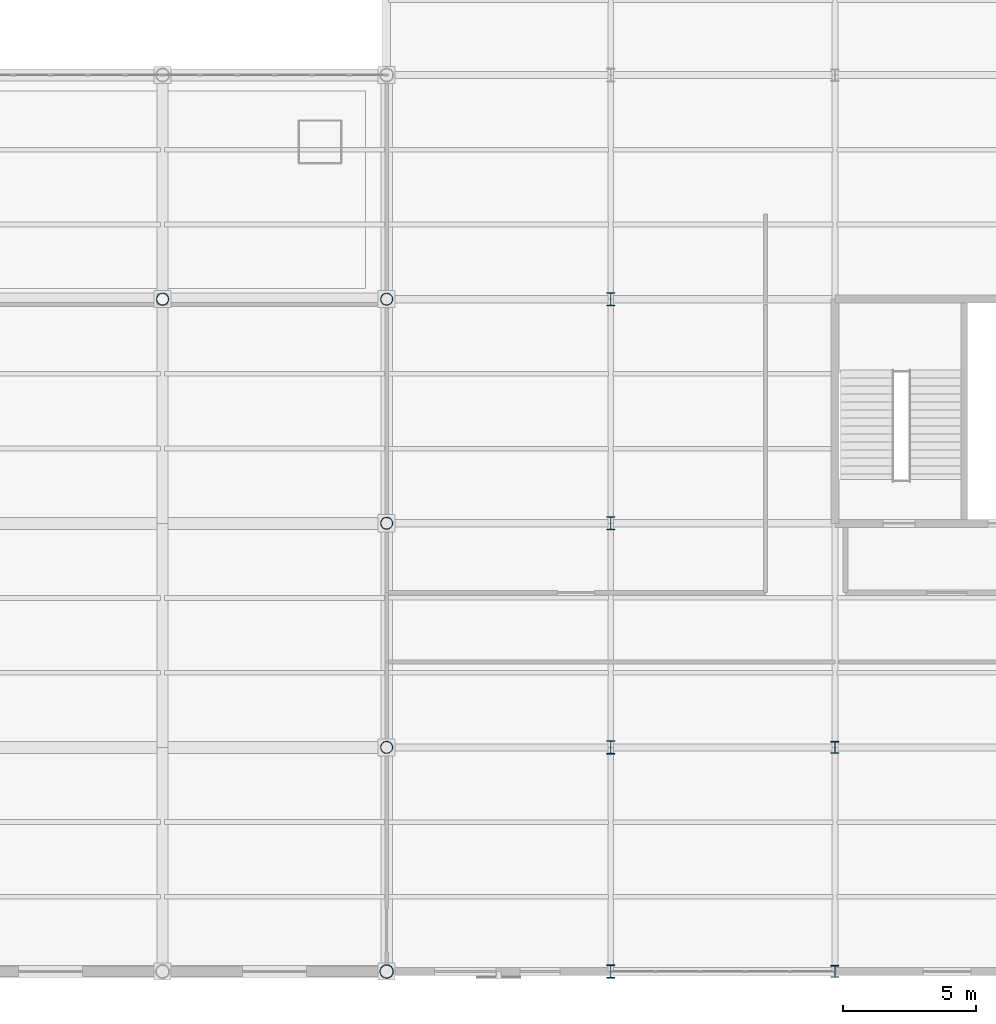
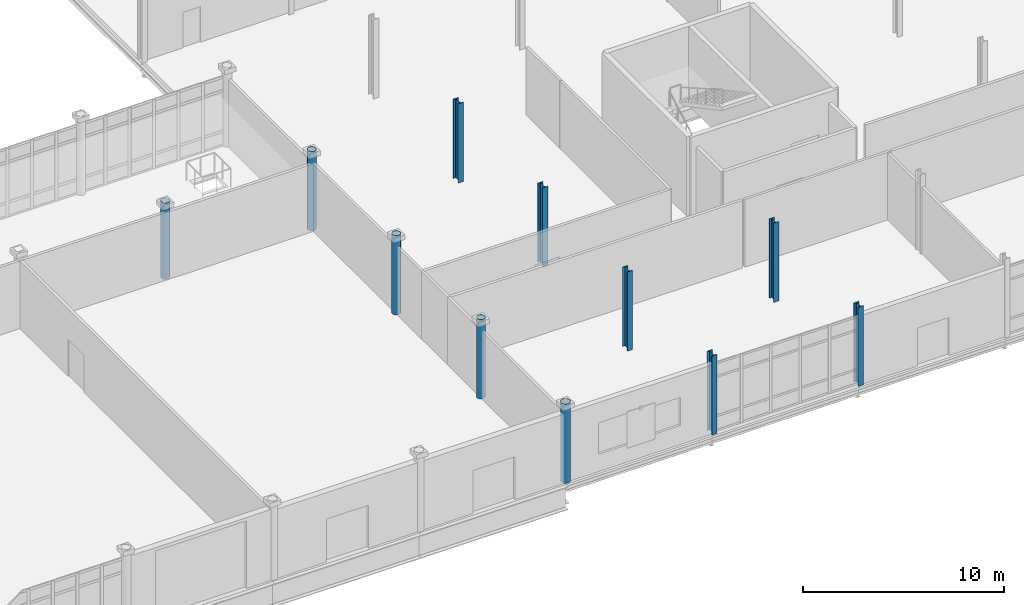
# One storey, part 8 of 145: 11 columns.
"""IFC4 building model written with IfcOpenShell, lengths in metres."""

from ifc_helpers import new_model, si_unit, direction, frame, origin, origin_2d, place, context, subcontext, project, spatial, hollow_circle, i_section, extrude, material, material_profile, profile_set, type_object, element, save


model = new_model("IFC4")

# Units and contexts
model_context = context("Model", 3, precision=1e-05, world=origin(), true_north=direction((0.0, 1.0)))
body_context = subcontext(model_context, "Body", "Model", "MODEL_VIEW")
ifc_project = project(units=[si_unit("LENGTHUNIT", "METRE"), si_unit("AREAUNIT", "SQUARE_METRE"), si_unit("VOLUMEUNIT", "CUBIC_METRE"), si_unit("PLANEANGLEUNIT", "RADIAN"), si_unit("MASSUNIT", "GRAM", prefix="KILO")], contexts=[model_context])

# Site, building, storey
site_placement = place(None, origin())
site = spatial("IfcSite", under=ifc_project, at=site_placement, CompositionType="ELEMENT")
building_placement = place(site_placement, origin())
building = spatial("IfcBuilding", under=site, at=building_placement, Name="Qalvenar Corner Mobility Hub", CompositionType="ELEMENT")
storey_placement = place(building_placement, origin())
storey = spatial("IfcBuildingStorey", under=building, at=storey_placement, Name="L00", CompositionType="ELEMENT", Elevation=0.0)

# Columns
ifc_material = material(Name="Steel S355", Category="steel")
ifc_material_profile_1 = material_profile(ifc_material, hollow_circle(Radius=0.228515625, WallThickness=0.01416015625, at=origin_2d()), Name="CHS457x14.2")
ifc_profile_set_1 = profile_set([ifc_material_profile_1], Name="Steel S355")
column_type_1 = type_object("IfcColumnType", Name="COL-CHS457", PredefinedType="COLUMN", material=ifc_profile_set_1)
column_1_placement = place(storey_placement, frame((100.800048828125, 25.199951171875, 0.0), z_axis=(0.0, 0.0, 1.0), x_axis=(1.0, 0.0, 0.0)))
element("IfcColumn", 1, at=column_1_placement, inside=storey, type_object=column_type_1, Name="Steel Column L00-G13-3", PredefinedType="COLUMN", context=body_context, shape_type="SweptSolid", body=[
    extrude(hollow_circle(Radius=0.228515625, WallThickness=0.01416015625, at=origin_2d()), origin(), (0.0, 0.0, 1.0), 4.6201171875),
])
for number, where, z_axis, x_axis, name in (
    (2, (109.199951171875, 8.39990234375, 0.0), (0.0, 0.0, 1.0), (1.0, 0.0, 0.0), "Steel Column L00-G14-1"),
    (3, (109.199951171875, 16.800048828125, 0.0), (0.0, 0.0, 1.0), (1.0, 0.0, 0.0), "Steel Column L00-G14-2"),
    (4, (109.199951171875, 25.199951171875, 0.0), (0.0, 0.0, 1.0), (1.0, 0.0, 0.0), "Steel Column L00-G14-3"),
):
    element("IfcColumn", number, at=place(storey_placement, frame(where, z_axis=z_axis, x_axis=x_axis)), inside=storey, type_object=column_type_1, Name=name, PredefinedType="COLUMN", context=body_context, shape_type="SweptSolid", body=[
        extrude(hollow_circle(Radius=0.228515625, WallThickness=0.01416015625, at=origin_2d()), origin(), (0.0, 0.0, 1.0), 4.800048828125),
    ])
ifc_material_profile_2 = material_profile(ifc_material, hollow_circle(Radius=0.25390625, WallThickness=0.01611328125, at=origin_2d()), Name="CHS508x16")
ifc_profile_set_2 = profile_set([ifc_material_profile_2], Name="Steel S355")
column_type_2 = type_object("IfcColumnType", Name="COL-CHS508", PredefinedType="COLUMN", material=ifc_profile_set_2)
column_2_placement = place(storey_placement, frame((109.199951171875, 0.0, 0.0), z_axis=(0.0, 0.0, 1.0), x_axis=(1.0, 0.0, 0.0)))
element("IfcColumn", 5, at=column_2_placement, inside=storey, type_object=column_type_2, Name="Steel Column L00-G14-0", PredefinedType="COLUMN", context=body_context, shape_type="SweptSolid", body=[
    extrude(hollow_circle(Radius=0.25390625, WallThickness=0.01611328125, at=origin_2d()), origin(), (0.0, 0.0, 1.0), 4.800048828125),
])
ifc_material_profile_3 = material_profile(ifc_material, i_section(OverallWidth=0.300048828125, OverallDepth=0.449951171875, WebThickness=0.013916015625, FlangeThickness=0.02587890625, FilletRadius=0.027099609375, at=origin_2d()), Name="HEB450")
ifc_profile_set_3 = profile_set([ifc_material_profile_3], Name="Steel S355")
column_type_3 = type_object("IfcColumnType", Name="COL-HEB450", PredefinedType="COLUMN", material=ifc_profile_set_3)
for number, where, z_axis, x_axis, name in (
    (6, (126.0, 0.0, 0.0), (0.0, 0.0, 1.0), (1.0, 0.0, 0.0), "Steel Column L00-G16-0"),
    (7, (126.0, 8.39990234375, 0.0), (0.0, 0.0, 1.0), (1.0, 0.0, 0.0), "Steel Column L00-G16-1"),
):
    element("IfcColumn", number, at=place(storey_placement, frame(where, z_axis=z_axis, x_axis=x_axis)), inside=storey, type_object=column_type_3, Name=name, PredefinedType="COLUMN", context=body_context, shape_type="SweptSolid", body=[
        extrude(i_section(OverallWidth=0.300048828125, OverallDepth=0.449951171875, WebThickness=0.013916015625, FlangeThickness=0.02587890625, FilletRadius=0.027099609375, at=origin_2d()), origin(), (0.0, 0.0, 1.0), 4.800048828125),
    ])
ifc_material_profile_4 = material_profile(ifc_material, i_section(OverallWidth=0.300048828125, OverallDepth=0.5, WebThickness=0.014404296875, FlangeThickness=0.028076171875, FilletRadius=0.027099609375, at=origin_2d()), Name="HEB500")
ifc_profile_set_4 = profile_set([ifc_material_profile_4], Name="Steel S355")
column_type_4 = type_object("IfcColumnType", Name="COL-HEB500", PredefinedType="COLUMN", material=ifc_profile_set_4)
for number, where, z_axis, x_axis, name in (
    (8, (117.60009765625, 0.0, 0.0), (0.0, 0.0, 1.0), (1.0, 0.0, 0.0), "Steel Column L00-G15-0"),
    (9, (117.60009765625, 8.39990234375, 0.0), (0.0, 0.0, 1.0), (1.0, 0.0, 0.0), "Steel Column L00-G15-1"),
    (10, (117.60009765625, 16.800048828125, 0.0), (0.0, 0.0, 1.0), (1.0, 0.0, 0.0), "Steel Column L00-G15-2"),
    (11, (117.60009765625, 25.199951171875, 0.0), (0.0, 0.0, 1.0), (1.0, 0.0, 0.0), "Steel Column L00-G15-3"),
):
    element("IfcColumn", number, at=place(storey_placement, frame(where, z_axis=z_axis, x_axis=x_axis)), inside=storey, type_object=column_type_4, Name=name, PredefinedType="COLUMN", context=body_context, shape_type="SweptSolid", body=[
        extrude(i_section(OverallWidth=0.300048828125, OverallDepth=0.5, WebThickness=0.014404296875, FlangeThickness=0.028076171875, FilletRadius=0.027099609375, at=origin_2d()), origin(), (0.0, 0.0, 1.0), 4.800048828125),
    ])

save(model, "model.ifc")
